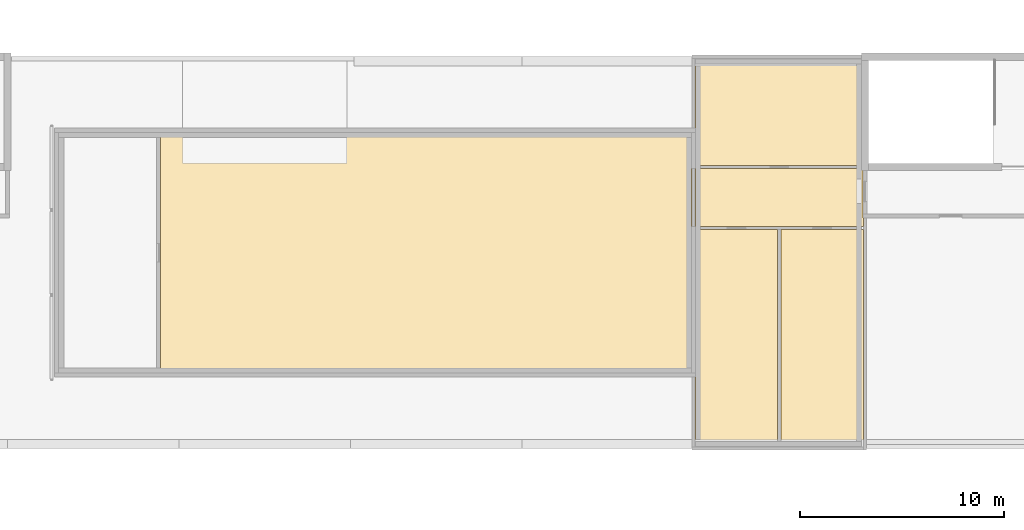
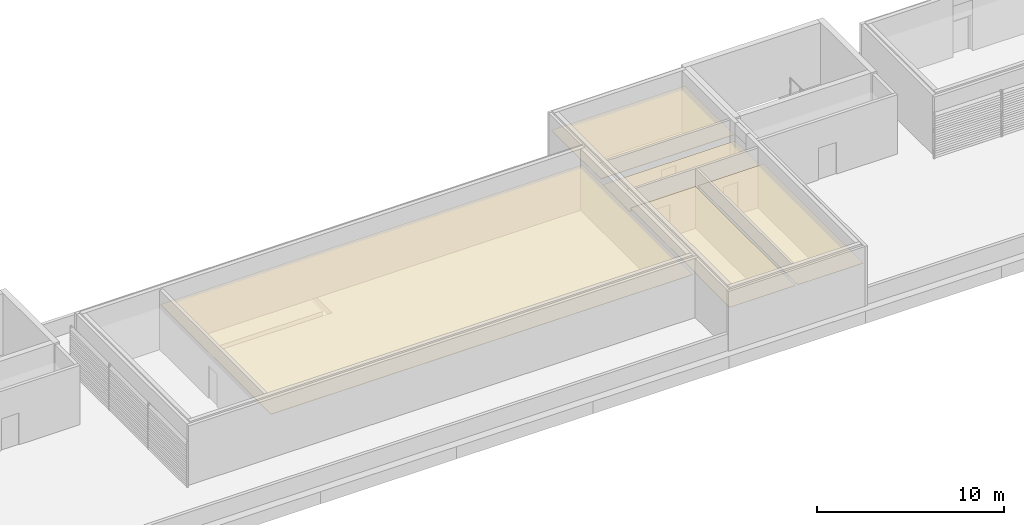
# One storey, part 9 of 13: 5 coverings.
"""IFC4 building model written with IfcOpenShell, lengths in metres."""

from ifc_helpers import new_model, si_unit, direction, frame, origin, place, context, subcontext, project, spatial, polyline, outline, extrude, material, layer, layer_set, type_object, element, save


model = new_model("IFC4")

# Units and contexts
model_context = context("Model", 3, precision=1e-05, world=origin(), true_north=direction((0.0, 1.0)))
body_context = subcontext(model_context, "Body", "Model", "MODEL_VIEW")
ifc_project = project(units=[si_unit("LENGTHUNIT", "METRE"), si_unit("AREAUNIT", "SQUARE_METRE"), si_unit("VOLUMEUNIT", "CUBIC_METRE"), si_unit("PLANEANGLEUNIT", "RADIAN"), si_unit("MASSUNIT", "GRAM", prefix="KILO")], contexts=[model_context])

# Site, building, storey
site_placement = place(None, origin())
site = spatial("IfcSite", under=ifc_project, at=site_placement, CompositionType="ELEMENT")
building_placement = place(site_placement, origin())
building = spatial("IfcBuilding", under=site, at=building_placement, Name="Bougainvillea Quay General Hospital", CompositionType="ELEMENT")
storey_placement = place(building_placement, frame((0.0, 0.0, 36.60009765625)))
storey = spatial("IfcBuildingStorey", under=building, at=storey_placement, Name="L08", CompositionType="ELEMENT", Elevation=36.60009765625)

# Coverings
ifc_material = material(Name="Mineral fibre ceiling tile")
ifc_layer = layer(ifc_material, 0.030029296875)
ifc_layer_set = layer_set([ifc_layer], Name="Mineral fibre ceiling tile")
covering_type = type_object("IfcCoveringType", Name="Suspended ceiling mineral fibre tile", PredefinedType="CEILING", material=ifc_layer_set)
covering_1_placement = place(storey_placement, frame((0.0, 0.0, 2.699951171875)))
element("IfcCovering", 1, at=covering_1_placement, inside=storey, type_object=covering_type, Name="Ceiling Air Handling Plant Room", PredefinedType="CEILING", context=body_context, shape_type="SweptSolid", body=[
    extrude(outline(polyline([(125.89990234375, 144.10009765625), (125.89990234375, 151.27490234375), (125.925048828125, 151.27490234375), (125.925048828125, 154.125), (125.89990234375, 154.125), (125.89990234375, 155.89990234375), (99.89208984375, 155.89990234375), (99.89208984375, 144.10009765625), (125.89990234375, 144.10009765625)])), origin(), (0.0, 0.0, 1.0), 0.030029296875),
])
covering_2_placement = place(storey_placement, frame((0.0, 0.0, 2.699951171875)))
element("IfcCovering", 2, at=covering_2_placement, inside=storey, type_object=covering_type, Name="Ceiling Helicopter Crew Briefing Room", PredefinedType="CEILING", context=body_context, shape_type="SweptSolid", body=[
    extrude(outline(polyline([(126.10009765625, 151.125), (126.10009765625, 143.89990234375), (126.074951171875, 143.89990234375), (126.074951171875, 140.47509765625), (130.125, 140.47509765625), (130.125, 151.125), (126.10009765625, 151.125)])), origin(), (0.0, 0.0, 1.0), 0.030029296875),
])
covering_3_placement = place(storey_placement, frame((0.0, 0.0, 2.699951171875)))
element("IfcCovering", 3, at=covering_3_placement, inside=storey, type_object=covering_type, Name="Ceiling Patient Transfer Waiting Room", PredefinedType="CEILING", context=body_context, shape_type="SweptSolid", body=[
    extrude(outline(polyline([(130.27490234375, 151.125), (130.27490234375, 140.47509765625), (134.324951171875, 140.47509765625), (134.324951171875, 151.125), (130.27490234375, 151.125)])), origin(), (0.0, 0.0, 1.0), 0.030029296875),
])
covering_4_placement = place(storey_placement, frame((0.0, 0.0, 2.699951171875)))
element("IfcCovering", 4, at=covering_4_placement, inside=storey, type_object=covering_type, Name="Ceiling Staff Rest Lounge", PredefinedType="CEILING", context=body_context, shape_type="SweptSolid", body=[
    extrude(outline(polyline([(126.074951171875, 156.10009765625), (126.10009765625, 156.10009765625), (126.10009765625, 154.27490234375), (134.300048828125, 154.27490234375), (134.300048828125, 154.300048828125), (134.324951171875, 154.300048828125), (134.324951171875, 159.52490234375), (126.074951171875, 159.52490234375), (126.074951171875, 156.10009765625)])), origin(), (0.0, 0.0, 1.0), 0.030029296875),
])
covering_5_placement = place(storey_placement, frame((0.0, 0.0, 2.39990234375)))
element("IfcCovering", 5, at=covering_5_placement, inside=storey, type_object=covering_type, Name="Ceiling Roof Link Corridor", PredefinedType="CEILING", context=body_context, shape_type="SweptSolid", body=[
    extrude(outline(polyline([(126.074951171875, 151.27490234375), (134.324951171875, 151.27490234375), (134.324951171875, 151.699951171875), (134.300048828125, 151.699951171875), (134.300048828125, 154.125), (126.074951171875, 154.125), (126.074951171875, 151.27490234375)])), origin(), (0.0, 0.0, 1.0), 0.030029296875),
])

save(model, "model.ifc")
